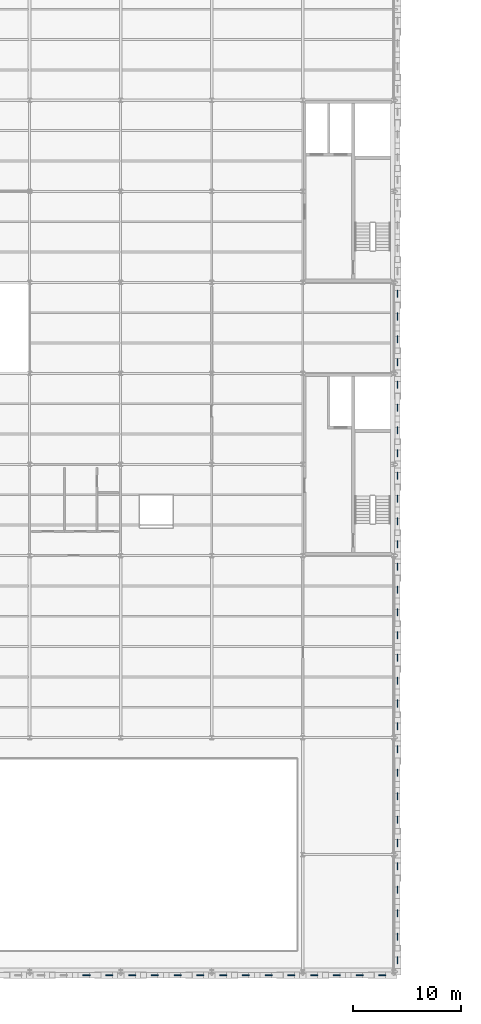
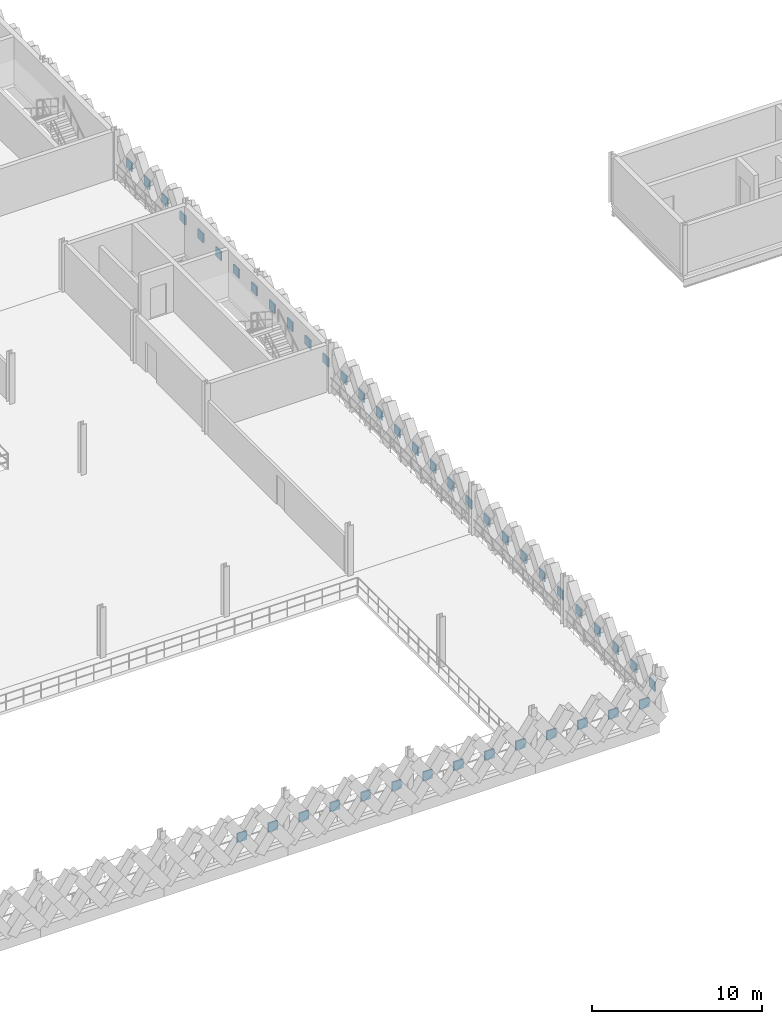
# One storey, part 53 of 74: 44 plates.
"""IFC4 building model written with IfcOpenShell, lengths in metres."""

from ifc_helpers import new_model, si_unit, direction, frame, origin, origin_2d, place, context, subcontext, project, spatial, rectangle, extrude, material, layer, layer_set, type_object, element, save


model = new_model("IFC4")

# Units and contexts
model_context = context("Model", 3, precision=1e-05, world=origin(), true_north=direction((0.0, 1.0)))
body_context = subcontext(model_context, "Body", "Model", "MODEL_VIEW")
ifc_project = project(units=[si_unit("LENGTHUNIT", "METRE"), si_unit("AREAUNIT", "SQUARE_METRE"), si_unit("VOLUMEUNIT", "CUBIC_METRE"), si_unit("PLANEANGLEUNIT", "RADIAN"), si_unit("MASSUNIT", "GRAM", prefix="KILO"), si_unit("THERMODYNAMICTEMPERATUREUNIT", "KELVIN"), si_unit("POWERUNIT", "WATT")], contexts=[model_context])

# Site, building, storey
site_placement = place(None, origin())
site = spatial("IfcSite", under=ifc_project, at=site_placement, CompositionType="ELEMENT")
building_placement = place(site_placement, origin())
building = spatial("IfcBuilding", under=site, at=building_placement, Name="Tembeka Court Mobility Hub", CompositionType="ELEMENT")
storey_placement = place(building_placement, frame((0.0, 0.0, 12.60009765625)))
storey = spatial("IfcBuildingStorey", under=building, at=storey_placement, Name="L03", CompositionType="ELEMENT", Elevation=12.60009765625)

# Plates
ifc_material = material(Name="Precast concrete C45/55", Category="concrete")
ifc_layer = layer(ifc_material, 0.090087890625)
ifc_layer_set = layer_set([ifc_layer], Name="Precast concrete C45/55")
plate_type = type_object("IfcPlateType", Name="PL-PC01", PredefinedType="SHEET", material=ifc_layer_set)
for number, where, z_axis, x_axis, name in (
    (1, (64.050048828125, -0.340087890625, 1.159912109375), (0.0, 0.0, 1.0), (1.0, 0.0, 0.0), "Precast diamond lattice node plate PCN01 (L03-419)"),
    (2, (66.14990234375, -0.340087890625, 1.159912109375), (0.0, 0.0, 1.0), (1.0, 0.0, 0.0), "Precast diamond lattice node plate PCN01 (L03-420)"),
    (3, (68.25, -0.340087890625, 1.159912109375), (0.0, 0.0, 1.0), (1.0, 0.0, 0.0), "Precast diamond lattice node plate PCN01 (L03-421)"),
    (4, (70.35009765625, -0.340087890625, 1.159912109375), (0.0, 0.0, 1.0), (1.0, 0.0, 0.0), "Precast diamond lattice node plate PCN01 (L03-422)"),
    (5, (72.449951171875, -0.340087890625, 1.159912109375), (0.0, 0.0, 1.0), (1.0, 0.0, 0.0), "Precast diamond lattice node plate PCN01 (L03-423)"),
    (6, (74.550048828125, -0.340087890625, 1.159912109375), (0.0, 0.0, 1.0), (1.0, 0.0, 0.0), "Precast diamond lattice node plate PCN01 (L03-424)"),
    (7, (76.64990234375, -0.340087890625, 1.159912109375), (0.0, 0.0, 1.0), (1.0, 0.0, 0.0), "Precast diamond lattice node plate PCN01 (L03-425)"),
    (8, (78.75, -0.340087890625, 1.159912109375), (0.0, 0.0, 1.0), (1.0, 0.0, 0.0), "Precast diamond lattice node plate PCN01 (L03-426)"),
    (9, (80.85009765625, -0.340087890625, 1.159912109375), (0.0, 0.0, 1.0), (1.0, 0.0, 0.0), "Precast diamond lattice node plate PCN01 (L03-427)"),
    (10, (82.949951171875, -0.340087890625, 1.159912109375), (0.0, 0.0, 1.0), (1.0, 0.0, 0.0), "Precast diamond lattice node plate PCN01 (L03-428)"),
    (11, (85.050048828125, -0.340087890625, 1.159912109375), (0.0, 0.0, 1.0), (1.0, 0.0, 0.0), "Precast diamond lattice node plate PCN01 (L03-429)"),
    (12, (87.14990234375, -0.340087890625, 1.159912109375), (0.0, 0.0, 1.0), (1.0, 0.0, 0.0), "Precast diamond lattice node plate PCN01 (L03-430)"),
    (13, (89.25, -0.340087890625, 1.159912109375), (0.0, 0.0, 1.0), (1.0, 0.0, 0.0), "Precast diamond lattice node plate PCN01 (L03-431)"),
    (14, (91.35009765625, -0.340087890625, 1.159912109375), (0.0, 0.0, 1.0), (1.0, 0.0, 0.0), "Precast diamond lattice node plate PCN01 (L03-432)"),
):
    element("IfcPlate", number, at=place(storey_placement, frame(where, z_axis=z_axis, x_axis=x_axis)), inside=storey, type_object=plate_type, Name=name, PredefinedType="SHEET", context=body_context, shape_type="SweptSolid", body=[
        extrude(rectangle(XDim=0.64990234375, YDim=0.090087890625, at=origin_2d()), origin(), (0.0, 0.0, 1.0), 0.64990234375),
    ])
for number, where, z_axis, x_axis, name in (
    (15, (92.739990234375, 1.080078125, 1.159912109375), (0.0, 0.0, 1.0), (1.0, 0.0, 0.0), "Precast diamond lattice node plate PCN01 (L03-533)"),
    (16, (92.739990234375, 3.239990234375, 1.159912109375), (0.0, 0.0, 1.0), (1.0, 0.0, 0.0), "Precast diamond lattice node plate PCN01 (L03-534)"),
    (17, (92.739990234375, 5.39990234375, 1.159912109375), (0.0, 0.0, 1.0), (1.0, 0.0, 0.0), "Precast diamond lattice node plate PCN01 (L03-535)"),
    (18, (92.739990234375, 7.56005859375, 1.159912109375), (0.0, 0.0, 1.0), (1.0, 0.0, 0.0), "Precast diamond lattice node plate PCN01 (L03-536)"),
    (19, (92.739990234375, 9.719970703125, 1.159912109375), (0.0, 0.0, 1.0), (1.0, 0.0, 0.0), "Precast diamond lattice node plate PCN01 (L03-537)"),
    (20, (92.739990234375, 11.8798828125, 1.159912109375), (0.0, 0.0, 1.0), (1.0, 0.0, 0.0), "Precast diamond lattice node plate PCN01 (L03-538)"),
    (21, (92.739990234375, 14.0400390625, 1.159912109375), (0.0, 0.0, 1.0), (1.0, 0.0, 0.0), "Precast diamond lattice node plate PCN01 (L03-539)"),
    (22, (92.739990234375, 16.199951171875, 1.159912109375), (0.0, 0.0, 1.0), (1.0, 0.0, 0.0), "Precast diamond lattice node plate PCN01 (L03-540)"),
    (23, (92.739990234375, 18.360107421875, 1.159912109375), (0.0, 0.0, 1.0), (1.0, 0.0, 0.0), "Precast diamond lattice node plate PCN01 (L03-541)"),
    (24, (92.739990234375, 20.52001953125, 1.159912109375), (0.0, 0.0, 1.0), (1.0, 0.0, 0.0), "Precast diamond lattice node plate PCN01 (L03-542)"),
    (25, (92.739990234375, 22.64990234375, 1.159912109375), (0.0, 0.0, 1.0), (1.0, 0.0, 0.0), "Precast diamond lattice node plate PCN01 (L03-543)"),
    (26, (92.739990234375, 24.75, 1.159912109375), (0.0, 0.0, 1.0), (1.0, 0.0, 0.0), "Precast diamond lattice node plate PCN01 (L03-544)"),
    (27, (92.739990234375, 26.85009765625, 1.159912109375), (0.0, 0.0, 1.0), (1.0, 0.0, 0.0), "Precast diamond lattice node plate PCN01 (L03-545)"),
    (28, (92.739990234375, 28.949951171875, 1.159912109375), (0.0, 0.0, 1.0), (1.0, 0.0, 0.0), "Precast diamond lattice node plate PCN01 (L03-546)"),
    (29, (92.739990234375, 31.050048828125, 1.159912109375), (0.0, 0.0, 1.0), (1.0, 0.0, 0.0), "Precast diamond lattice node plate PCN01 (L03-547)"),
    (30, (92.739990234375, 33.14990234375, 1.159912109375), (0.0, 0.0, 1.0), (1.0, 0.0, 0.0), "Precast diamond lattice node plate PCN01 (L03-548)"),
    (31, (92.739990234375, 35.25, 1.159912109375), (0.0, 0.0, 1.0), (1.0, 0.0, 0.0), "Precast diamond lattice node plate PCN01 (L03-549)"),
    (32, (92.739990234375, 37.35009765625, 1.159912109375), (0.0, 0.0, 1.0), (1.0, 0.0, 0.0), "Precast diamond lattice node plate PCN01 (L03-550)"),
    (33, (92.739990234375, 39.449951171875, 1.159912109375), (0.0, 0.0, 1.0), (1.0, 0.0, 0.0), "Precast diamond lattice node plate PCN01 (L03-551)"),
    (34, (92.739990234375, 41.550048828125, 1.159912109375), (0.0, 0.0, 1.0), (1.0, 0.0, 0.0), "Precast diamond lattice node plate PCN01 (L03-552)"),
    (35, (92.739990234375, 43.64990234375, 1.159912109375), (0.0, 0.0, 1.0), (1.0, 0.0, 0.0), "Precast diamond lattice node plate PCN01 (L03-553)"),
    (36, (92.739990234375, 45.75, 1.159912109375), (0.0, 0.0, 1.0), (1.0, 0.0, 0.0), "Precast diamond lattice node plate PCN01 (L03-554)"),
    (37, (92.739990234375, 47.85009765625, 1.159912109375), (0.0, 0.0, 1.0), (1.0, 0.0, 0.0), "Precast diamond lattice node plate PCN01 (L03-555)"),
    (38, (92.739990234375, 49.949951171875, 1.159912109375), (0.0, 0.0, 1.0), (1.0, 0.0, 0.0), "Precast diamond lattice node plate PCN01 (L03-556)"),
    (39, (92.739990234375, 52.050048828125, 1.159912109375), (0.0, 0.0, 1.0), (1.0, 0.0, 0.0), "Precast diamond lattice node plate PCN01 (L03-557)"),
    (40, (92.739990234375, 54.14990234375, 1.159912109375), (0.0, 0.0, 1.0), (1.0, 0.0, 0.0), "Precast diamond lattice node plate PCN01 (L03-558)"),
    (41, (92.739990234375, 56.25, 1.159912109375), (0.0, 0.0, 1.0), (1.0, 0.0, 0.0), "Precast diamond lattice node plate PCN01 (L03-559)"),
    (42, (92.739990234375, 58.35009765625, 1.159912109375), (0.0, 0.0, 1.0), (1.0, 0.0, 0.0), "Precast diamond lattice node plate PCN01 (L03-560)"),
    (43, (92.739990234375, 60.449951171875, 1.159912109375), (0.0, 0.0, 1.0), (1.0, 0.0, 0.0), "Precast diamond lattice node plate PCN01 (L03-561)"),
    (44, (92.739990234375, 62.550048828125, 1.159912109375), (0.0, 0.0, 1.0), (1.0, 0.0, 0.0), "Precast diamond lattice node plate PCN01 (L03-562)"),
):
    element("IfcPlate", number, at=place(storey_placement, frame(where, z_axis=z_axis, x_axis=x_axis)), inside=storey, type_object=plate_type, Name=name, PredefinedType="SHEET", context=body_context, shape_type="SweptSolid", body=[
        extrude(rectangle(XDim=0.090087890625, YDim=0.64990234375, at=origin_2d()), origin(), (0.0, 0.0, 1.0), 0.64990234375),
    ])

save(model, "model.ifc")
